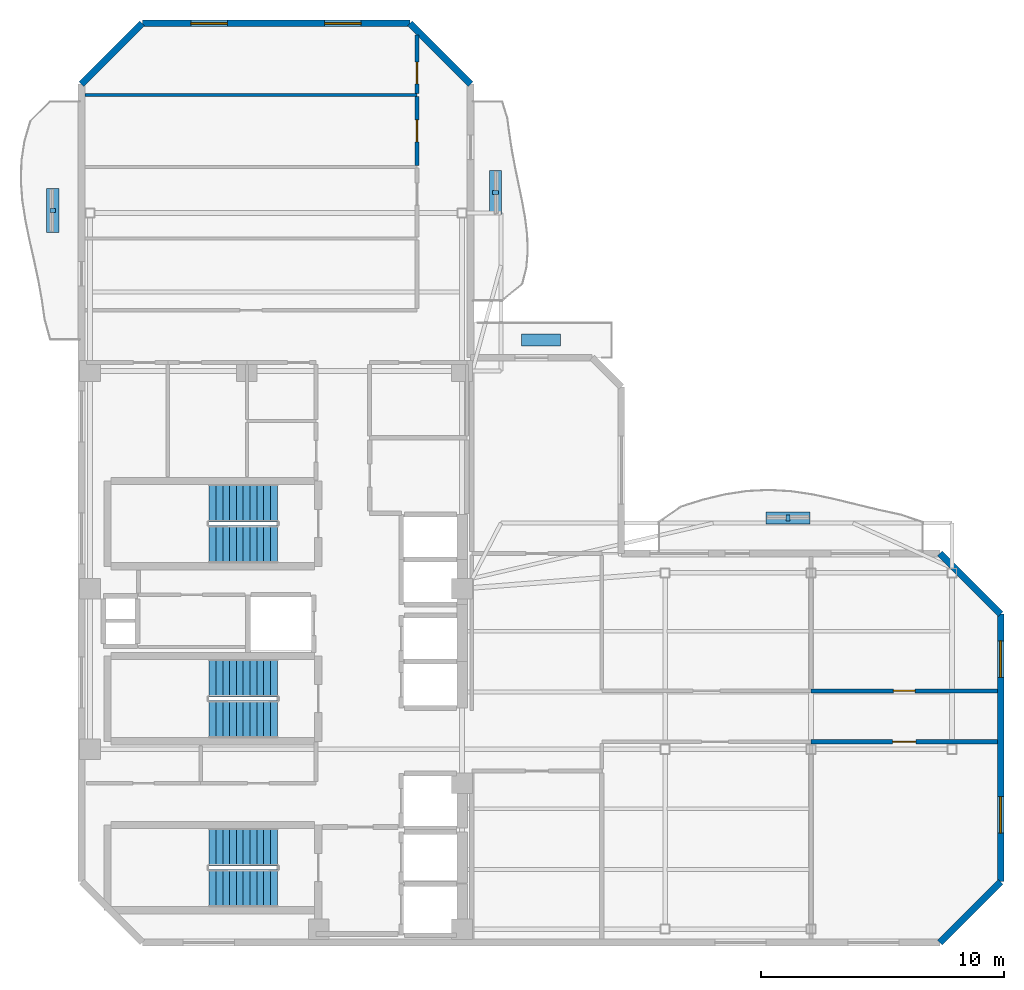
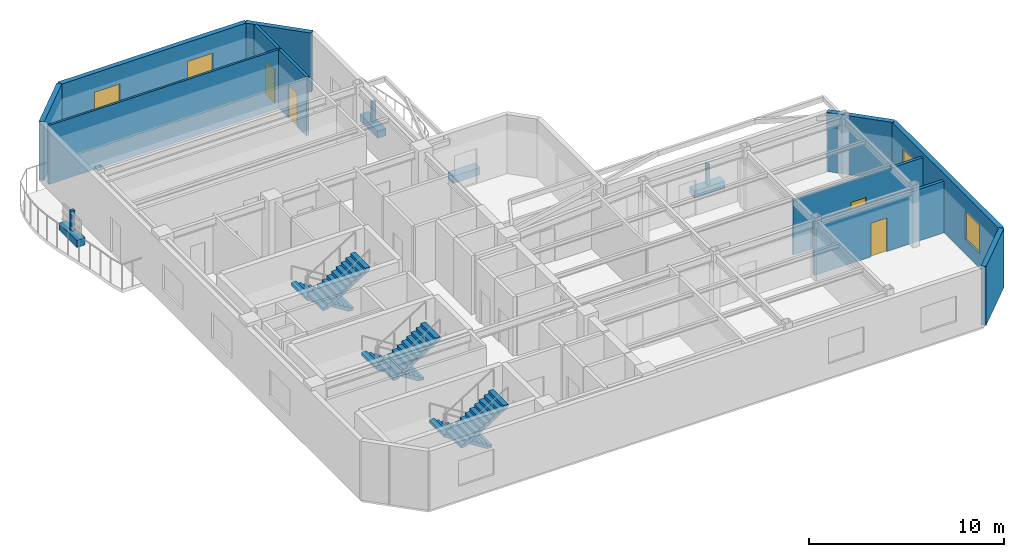
# One storey, part 5 of 8: 11 walls, 7 discrete accessories, 6 stair flights, 4 doors, 4 windows, 8 openings, 3 elements without a shape of their own.
"""IFC4 building model written with IfcOpenShell, lengths in metres."""

from ifc_helpers import new_model, si_unit, direction, frame, frame_2d, origin, origin_2d, place, context, subcontext, project, spatial, polyline, rectangle, outline, extrude, material, layer, layer_set, type_object, element, fill, aggregate, save


model = new_model("IFC4")

# Units and contexts
model_context = context("Model", 3, precision=1e-05, world=origin(), true_north=direction((0.0, 1.0)))
body_context = subcontext(model_context, "Body", "Model", "MODEL_VIEW")
ifc_project = project(units=[si_unit("LENGTHUNIT", "METRE"), si_unit("AREAUNIT", "SQUARE_METRE"), si_unit("VOLUMEUNIT", "CUBIC_METRE"), si_unit("PLANEANGLEUNIT", "RADIAN"), si_unit("MASSUNIT", "GRAM", prefix="KILO")], contexts=[model_context])

# Site, building, storey
site_placement = place(None, origin())
site = spatial("IfcSite", under=ifc_project, at=site_placement, CompositionType="ELEMENT")
building_placement = place(site_placement, origin())
building = spatial("IfcBuilding", under=site, at=building_placement, Name="Mawjaban Terraces University", CompositionType="ELEMENT")
storey_placement = place(building_placement, frame((0.0, 0.0, 259.89990234375)))
storey = spatial("IfcBuildingStorey", under=building, at=storey_placement, Name="L63", CompositionType="ELEMENT", Elevation=259.89990234375)

# Wall, opening, door
ifc_material_1 = material(Name="Acoustic masonry blockwork", Category="masonry")
ifc_layer_1 = layer(ifc_material_1, 0.179931640625)
ifc_layer_set_1 = layer_set([ifc_layer_1], Name="Acoustic masonry blockwork")
wall_type_1 = type_object("IfcWallType", Name="AcousticStudioWall_180", PredefinedType="PARTITIONING", material=ifc_layer_set_1)
wall_1_placement = place(storey_placement, frame((52.0, 8.25, 0.0), z_axis=(0.0, 0.0, 1.0), x_axis=(1.0, 0.0, 0.0)))
wall_1 = element("IfcWall", 1, at=wall_1_placement, inside=storey, type_object=wall_type_1, Name="L63 Upper East Research Corridor Partition 21", PredefinedType="PARTITIONING", context=body_context, shape_type="SweptSolid", body=[
    extrude(rectangle(XDim=7.6669921875, YDim=0.179931640625, at=frame_2d((3.83349609375, 0.0))), origin(), (0.0, 0.0, 1.0), 3.22705078125),
])
opening_1_placement = place(wall_1_placement, frame((3.35888671875, 0.0, 0.0)))
opening_1 = element("IfcOpeningElement", 2, at=opening_1_placement, cuts=wall_1, Name="Opening ID-095", PredefinedType="OPENING", context=body_context, shape_type="SweptSolid", body=[
    extrude(rectangle(XDim=0.949951171875, YDim=2.10009765625, at=frame_2d((0.47509765625, 1.050048828125))), frame((0.0, 0.099853515625, 0.0), z_axis=(0.0, -1.0, 0.0), x_axis=(1.0, 0.0, 0.0)), (0.0, 0.0, 1.0), 0.199951171875),
])
ifc_material_2 = material(Name="Powder-coated steel frame and solid acoustic timber leaf", Category="steel")
door_type_1 = type_object("IfcDoorType", Name="StudioDoor_950x2100", OperationType="NOTDEFINED", PredefinedType="DOOR", material=ifc_material_2)
door_1_placement = place(opening_1_placement, origin())
door_1 = element("IfcDoor", 3, at=door_1_placement, inside=storey, type_object=door_type_1, Name="L63 Design Studio 4 Door", OperationType="SINGLE_SWING_LEFT", OverallHeight=2.10009765625, OverallWidth=0.949951171875, PredefinedType="DOOR", context=body_context, shape_type="SweptSolid", body=[
    extrude(rectangle(XDim=0.949951171875, YDim=2.10009765625, at=frame_2d((0.47509765625, 1.050048828125))), frame((0.0, 0.02490234375, 0.0), z_axis=(0.0, -1.0, 0.0), x_axis=(1.0, 0.0, 0.0)), (0.0, 0.0, 1.0), 0.050048828125),
])
fill(opening_1, door_1)

ifc_material_3 = material(Name="Fire-rated gypsum board on steel stud", Category="steel")
ifc_layer_2 = layer(ifc_material_3, 0.159912109375)
ifc_layer_set_2 = layer_set([ifc_layer_2], Name="Fire-rated gypsum board on steel stud")
wall_type_2 = type_object("IfcWallType", Name="CorridorPartition_160", PredefinedType="PARTITIONING", material=ifc_layer_set_2)
wall_2_placement = place(storey_placement, frame((59.6669921875, 10.35009765625, 0.0), z_axis=(0.0, 0.0, 1.0), x_axis=(-1.0, 0.0, 0.0)))
wall_2 = element("IfcWall", 4, at=wall_2_placement, inside=storey, type_object=wall_type_2, Name="L63 Upper East Research Corridor Partition 23", PredefinedType="PARTITIONING", context=body_context, shape_type="SweptSolid", body=[
    extrude(rectangle(XDim=7.6669921875, YDim=0.159912109375, at=frame_2d((3.83349609375, 0.0))), origin(), (0.0, 0.0, 1.0), 3.424072265625),
])
opening_2_placement = place(wall_2_placement, frame((3.384033203125, 0.0, 0.0)))
opening_2 = element("IfcOpeningElement", 5, at=opening_2_placement, cuts=wall_2, Name="Opening ID-090", PredefinedType="OPENING", context=body_context, shape_type="SweptSolid", body=[
    extrude(rectangle(XDim=0.89990234375, YDim=2.10009765625, at=frame_2d((0.449951171875, 1.050048828125))), frame((0.0, 0.08984375, 0.0), z_axis=(0.0, -1.0, 0.0), x_axis=(1.0, 0.0, 0.0)), (0.0, 0.0, 1.0), 0.179931640625),
])
door_type_2 = type_object("IfcDoorType", Name="OfficeDoor_900x2100", OperationType="NOTDEFINED", PredefinedType="DOOR", material=ifc_material_2)
door_2_placement = place(opening_2_placement, origin())
door_2 = element("IfcDoor", 6, at=door_2_placement, inside=storey, type_object=door_type_2, Name="L63 Faculty Office 5 Door", OperationType="SINGLE_SWING_RIGHT", OverallHeight=2.10009765625, OverallWidth=0.89990234375, PredefinedType="DOOR", context=body_context, shape_type="SweptSolid", body=[
    extrude(rectangle(XDim=0.89990234375, YDim=2.10009765625, at=frame_2d((0.449951171875, 1.050048828125))), frame((0.0, 0.02490234375, 0.0), z_axis=(0.0, -1.0, 0.0), x_axis=(1.0, 0.0, 0.0)), (0.0, 0.0, 1.0), 0.050048828125),
])
fill(opening_2, door_2)

wall_3_placement = place(storey_placement, frame((35.800048828125, 34.79296875, 0.0), z_axis=(0.0, 0.0, 1.0), x_axis=(0.0, -1.0, 0.0)))
wall_3 = element("IfcWall", 7, at=wall_3_placement, inside=storey, type_object=wall_type_2, Name="L63 Upper North Research Gallery Partition 36", PredefinedType="PARTITIONING", context=body_context, shape_type="SweptSolid", body=[
    extrude(rectangle(XDim=2.8359375, YDim=0.159912109375, at=frame_2d((1.41796875, 0.0))), origin(), (0.0, 0.0, 1.0), 3.690185546875),
])
opening_3_placement = place(wall_3_placement, frame((0.968017578125, 0.0, 0.0)))
opening_3 = element("IfcOpeningElement", 8, at=opening_3_placement, cuts=wall_3, Name="Opening ID-090", PredefinedType="OPENING", context=body_context, shape_type="SweptSolid", body=[
    extrude(rectangle(XDim=0.89990234375, YDim=2.10009765625, at=frame_2d((0.449951171875, 1.050048828125))), frame((0.0, 0.08984375, 0.0), z_axis=(0.0, -1.0, 0.0), x_axis=(1.0, 0.0, 0.0)), (0.0, 0.0, 1.0), 0.179931640625),
])
door_3_placement = place(opening_3_placement, origin())
door_3 = element("IfcDoor", 9, at=door_3_placement, inside=storey, type_object=door_type_2, Name="L63 Faculty Office 8 Door", OperationType="SINGLE_SWING_LEFT", OverallHeight=2.10009765625, OverallWidth=0.89990234375, PredefinedType="DOOR", context=body_context, shape_type="SweptSolid", body=[
    extrude(rectangle(XDim=0.89990234375, YDim=2.10009765625, at=frame_2d((0.449951171875, 1.050048828125))), frame((0.0, 0.02490234375, 0.0), z_axis=(0.0, -1.0, 0.0), x_axis=(1.0, 0.0, 0.0)), (0.0, 0.0, 1.0), 0.050048828125),
])
fill(opening_3, door_3)

wall_4_placement = place(storey_placement, frame((35.800048828125, 37.31298828125, 0.0), z_axis=(0.0, 0.0, 1.0), x_axis=(0.0, -1.0, 0.0)))
wall_4 = element("IfcWall", 10, at=wall_4_placement, inside=storey, type_object=wall_type_2, Name="L63 Upper North Research Gallery Partition 37", PredefinedType="PARTITIONING", context=body_context, shape_type="SweptSolid", body=[
    extrude(rectangle(XDim=2.406005859375, YDim=0.159912109375, at=frame_2d((1.203125, 0.0))), origin(), (0.0, 0.0, 1.0), 3.690185546875),
])
opening_4_placement = place(wall_4_placement, frame((1.10302734375, 0.0, 0.0)))
opening_4 = element("IfcOpeningElement", 11, at=opening_4_placement, cuts=wall_4, Name="Opening ID-090", PredefinedType="OPENING", context=body_context, shape_type="SweptSolid", body=[
    extrude(rectangle(XDim=0.89990234375, YDim=2.10009765625, at=frame_2d((0.449951171875, 1.050048828125))), frame((0.0, 0.08984375, 0.0), z_axis=(0.0, -1.0, 0.0), x_axis=(1.0, 0.0, 0.0)), (0.0, 0.0, 1.0), 0.179931640625),
])
door_4_placement = place(opening_4_placement, origin())
door_4 = element("IfcDoor", 12, at=door_4_placement, inside=storey, type_object=door_type_2, Name="L63 Departmental Office 9 Door", OperationType="SINGLE_SWING_RIGHT", OverallHeight=2.10009765625, OverallWidth=0.89990234375, PredefinedType="DOOR", context=body_context, shape_type="SweptSolid", body=[
    extrude(rectangle(XDim=0.89990234375, YDim=2.10009765625, at=frame_2d((0.449951171875, 1.050048828125))), frame((0.0, 0.02490234375, 0.0), z_axis=(0.0, -1.0, 0.0), x_axis=(1.0, 0.0, 0.0)), (0.0, 0.0, 1.0), 0.050048828125),
])
fill(opening_4, door_4)

# Wall
ifc_material_4 = material(Name="Insulated terracotta rainscreen on concrete backup C40/50", Category="masonry")
ifc_layer_3 = layer(ifc_material_4, 0.27490234375)
ifc_layer_set_3 = layer_set([ifc_layer_3], Name="Insulated terracotta rainscreen on concrete backup C40/50")
wall_type_3 = type_object("IfcWallType", Name="ExtTerracottaWall_275", PredefinedType="SOLIDWALL", material=ifc_layer_set_3)
wall_5_placement = place(storey_placement, frame((57.300048828125, 0.0, 0.0), z_axis=(0.0, 0.0, 1.0), x_axis=(0.707106781187, 0.707106781187, 0.0)))
element("IfcWall", 13, at=wall_5_placement, inside=storey, type_object=wall_type_3, Name="L63 Exterior Terracotta Wall 2", PredefinedType="SOLIDWALL", context=body_context, shape_type="SweptSolid", body=[
    extrude(rectangle(XDim=3.53564453125, YDim=0.27490234375, at=frame_2d((1.767822265625, 0.0))), origin(), (0.0, 0.0, 1.0), 3.690185546875),
])

# Wall, openings, windows
wall_6_placement = place(storey_placement, frame((59.800048828125, 2.5, 0.0), z_axis=(0.0, 0.0, 1.0), x_axis=(0.0, 1.0, 0.0)))
wall_6 = element("IfcWall", 14, at=wall_6_placement, inside=storey, type_object=wall_type_3, Name="L63 Exterior Terracotta Wall 3", PredefinedType="SOLIDWALL", context=body_context, shape_type="SweptSolid", body=[
    extrude(rectangle(XDim=11.0, YDim=0.27490234375, at=frame_2d((5.5, 0.0))), origin(), (0.0, 0.0, 1.0), 3.690185546875),
])
opening_5_placement = place(wall_6_placement, frame((2.0, 0.0, 0.89990234375)))
opening_5 = element("IfcOpeningElement", 15, at=opening_5_placement, cuts=wall_6, Name="Opening W-06", PredefinedType="OPENING", context=body_context, shape_type="SweptSolid", body=[
    extrude(rectangle(XDim=1.5, YDim=1.800048828125, at=frame_2d((0.75, 0.89990234375))), frame((0.0, 0.1474609375, 0.0), z_axis=(0.0, -1.0, 0.0), x_axis=(1.0, 0.0, 0.0)), (0.0, 0.0, 1.0), 0.294921875),
])
opening_6_placement = place(wall_6_placement, frame((8.39990234375, 0.0, 0.89990234375)))
opening_6 = element("IfcOpeningElement", 16, at=opening_6_placement, cuts=wall_6, Name="Opening W-06", PredefinedType="OPENING", context=body_context, shape_type="SweptSolid", body=[
    extrude(rectangle(XDim=1.5, YDim=1.800048828125, at=frame_2d((0.75, 0.89990234375))), frame((0.0, 0.1474609375, 0.0), z_axis=(0.0, -1.0, 0.0), x_axis=(1.0, 0.0, 0.0)), (0.0, 0.0, 1.0), 0.294921875),
])
ifc_material_5 = material(Name="Low-E solar-control double glazing in thermally broken aluminium frame", Category="aluminium")
window_type_1 = type_object("IfcWindowType", Name="Win_1500x1800", PartitioningType="SINGLE_PANEL", PredefinedType="WINDOW", material=ifc_material_5)
window_1_placement = place(opening_5_placement, origin())
window_1 = element("IfcWindow", 17, at=window_1_placement, inside=storey, type_object=window_type_1, Name="L63 Facade Window 3.1", OverallHeight=1.800048828125, OverallWidth=1.5, PartitioningType="SINGLE_PANEL", PredefinedType="WINDOW", context=body_context, shape_type="SweptSolid", body=[
    extrude(rectangle(XDim=1.5, YDim=1.800048828125, at=frame_2d((0.75, 0.89990234375))), frame((0.0, 0.030029296875, 0.0), z_axis=(0.0, -1.0, 0.0), x_axis=(1.0, 0.0, 0.0)), (0.0, 0.0, 1.0), 0.06005859375),
])
fill(opening_5, window_1)
window_2_placement = place(opening_6_placement, origin())
window_2 = element("IfcWindow", 18, at=window_2_placement, inside=storey, type_object=window_type_1, Name="L63 Facade Window 3.2", OverallHeight=1.800048828125, OverallWidth=1.5, PartitioningType="SINGLE_PANEL", PredefinedType="WINDOW", context=body_context, shape_type="SweptSolid", body=[
    extrude(rectangle(XDim=1.5, YDim=1.800048828125, at=frame_2d((0.75, 0.89990234375))), frame((0.0, 0.030029296875, 0.0), z_axis=(0.0, -1.0, 0.0), x_axis=(1.0, 0.0, 0.0)), (0.0, 0.0, 1.0), 0.06005859375),
])
fill(opening_6, window_2)

# Walls
for number, where, z_axis, x_axis, name in (
    (19, (59.800048828125, 13.5, 0.0), (0.0, 0.0, 1.0), (-0.707106781187, 0.707106781187, 0.0), "L63 Exterior Terracotta Wall 4"),
    (20, (38.0, 35.300048828125, 0.0), (0.0, 0.0, 1.0), (-0.707106781187, 0.707106781187, 0.0), "L63 Exterior Terracotta Wall 10"),
):
    element("IfcWall", number, at=place(storey_placement, frame(where, z_axis=z_axis, x_axis=x_axis)), inside=storey, type_object=wall_type_3, Name=name, PredefinedType="SOLIDWALL", context=body_context, shape_type="SweptSolid", body=[
        extrude(rectangle(XDim=3.53564453125, YDim=0.27490234375, at=frame_2d((1.767822265625, 0.0))), origin(), (0.0, 0.0, 1.0), 3.690185546875),
    ])

# Wall, openings, windows
wall_7_placement = place(storey_placement, frame((35.5, 37.800048828125, 0.0), z_axis=(0.0, 0.0, 1.0), x_axis=(-1.0, 0.0, 0.0)))
wall_7 = element("IfcWall", 21, at=wall_7_placement, inside=storey, type_object=wall_type_3, Name="L63 Exterior Terracotta Wall 11", PredefinedType="SOLIDWALL", context=body_context, shape_type="SweptSolid", body=[
    extrude(rectangle(XDim=11.0, YDim=0.27490234375, at=frame_2d((5.5, 0.0))), origin(), (0.0, 0.0, 1.0), 3.690185546875),
])
opening_7_placement = place(wall_7_placement, frame((2.0, 0.0, 0.89990234375)))
opening_7 = element("IfcOpeningElement", 22, at=opening_7_placement, cuts=wall_7, Name="Opening W-02", PredefinedType="OPENING", context=body_context, shape_type="SweptSolid", body=[
    extrude(rectangle(XDim=1.5, YDim=1.60009765625, at=frame_2d((0.75, 0.800048828125))), frame((0.0, 0.1474609375, 0.0), z_axis=(0.0, -1.0, 0.0), x_axis=(1.0, 0.0, 0.0)), (0.0, 0.0, 1.0), 0.294921875),
])
opening_8_placement = place(wall_7_placement, frame((7.5, 0.0, 0.89990234375)))
opening_8 = element("IfcOpeningElement", 23, at=opening_8_placement, cuts=wall_7, Name="Opening W-02", PredefinedType="OPENING", context=body_context, shape_type="SweptSolid", body=[
    extrude(rectangle(XDim=1.5, YDim=1.60009765625, at=frame_2d((0.75, 0.800048828125))), frame((0.0, 0.1474609375, 0.0), z_axis=(0.0, -1.0, 0.0), x_axis=(1.0, 0.0, 0.0)), (0.0, 0.0, 1.0), 0.294921875),
])
window_type_2 = type_object("IfcWindowType", Name="Win_1500x1600", PartitioningType="SINGLE_PANEL", PredefinedType="WINDOW", material=ifc_material_5)
window_3_placement = place(opening_7_placement, origin())
window_3 = element("IfcWindow", 24, at=window_3_placement, inside=storey, type_object=window_type_2, Name="L63 Facade Window 11.1", OverallHeight=1.60009765625, OverallWidth=1.5, PartitioningType="SINGLE_PANEL", PredefinedType="WINDOW", context=body_context, shape_type="SweptSolid", body=[
    extrude(rectangle(XDim=1.5, YDim=1.60009765625, at=frame_2d((0.75, 0.800048828125))), frame((0.0, 0.030029296875, 0.0), z_axis=(0.0, -1.0, 0.0), x_axis=(1.0, 0.0, 0.0)), (0.0, 0.0, 1.0), 0.06005859375),
])
fill(opening_7, window_3)
window_4_placement = place(opening_8_placement, origin())
window_4 = element("IfcWindow", 25, at=window_4_placement, inside=storey, type_object=window_type_2, Name="L63 Facade Window 11.2", OverallHeight=1.60009765625, OverallWidth=1.5, PartitioningType="SINGLE_PANEL", PredefinedType="WINDOW", context=body_context, shape_type="SweptSolid", body=[
    extrude(rectangle(XDim=1.5, YDim=1.60009765625, at=frame_2d((0.75, 0.800048828125))), frame((0.0, 0.030029296875, 0.0), z_axis=(0.0, -1.0, 0.0), x_axis=(1.0, 0.0, 0.0)), (0.0, 0.0, 1.0), 0.06005859375),
])
fill(opening_8, window_4)

# Walls
wall_8_placement = place(storey_placement, frame((24.5, 37.800048828125, 0.0), z_axis=(0.0, 0.0, 1.0), x_axis=(-0.707106781187, -0.707106781187, 0.0)))
element("IfcWall", 26, at=wall_8_placement, inside=storey, type_object=wall_type_3, Name="L63 Exterior Terracotta Wall 12", PredefinedType="SOLIDWALL", context=body_context, shape_type="SweptSolid", body=[
    extrude(rectangle(XDim=3.53564453125, YDim=0.27490234375, at=frame_2d((1.767822265625, 0.0))), origin(), (0.0, 0.0, 1.0), 3.690185546875),
])
ifc_material_6 = material(Name="Gypsum plasterboard on steel stud", Category="steel")
ifc_layer_4 = layer(ifc_material_6, 0.125)
ifc_layer_set_4 = layer_set([ifc_layer_4], Name="Gypsum plasterboard on steel stud")
wall_type_4 = type_object("IfcWallType", Name="OfficePartition_125", PredefinedType="PARTITIONING", material=ifc_layer_set_4)
wall_9_placement = place(storey_placement, frame((35.800048828125, 34.85009765625, 0.0), z_axis=(0.0, 0.0, 1.0), x_axis=(-1.0, 0.0, 0.0)))
element("IfcWall", 27, at=wall_9_placement, inside=storey, type_object=wall_type_4, Name="L63 Faculty Office 8 Partition 15", PredefinedType="PARTITIONING", context=body_context, shape_type="SweptSolid", body=[
    extrude(rectangle(XDim=13.6669921875, YDim=0.125, at=frame_2d((6.83349609375, 0.0))), origin(), (0.0, 0.0, 1.0), 3.690185546875),
])

# Stair, stair flights
ifc_material_7 = material(Name="Concrete C40/50", Category="concrete")
stair_type = type_object("IfcStairType", Name="Stair_Core1550_H39", PredefinedType="HALF_TURN_STAIR", material=ifc_material_7)
stair_1_placement = place(storey_placement, origin())
stair_1 = element("IfcStair", 28, at=stair_1_placement, inside=storey, type_object=stair_type, Name="L63 Core Exit Stair 1", PredefinedType="HALF_TURN_STAIR")
stair_flight_type = type_object("IfcStairFlightType", Name="Flight_Core1550_H39", PredefinedType="STRAIGHT", material=ifc_material_7)
stair_flight_1_placement = place(storey_placement, frame((30.050048828125, 3.925048828125, 0.0), z_axis=(0.0, 0.0, 1.0), x_axis=(-1.0, 0.0, 0.0)))
stair_flight_1 = element("IfcStairFlight", 29, at=stair_flight_1_placement, type_object=stair_flight_type, Name="ST-1 flight 1", NumberOfRisers=11, NumberOfTreads=10, PredefinedType="STRAIGHT", RiserHeight=0.177272727, TreadLength=0.28, context=body_context, shape_type="SweptSolid", body=[
    extrude(outline(polyline([(0.0, 0.0), (0.0, 0.17724609375), (0.280029296875, 0.17724609375), (0.280029296875, 0.3544921875), (0.56005859375, 0.3544921875), (0.56005859375, 0.53173828125), (0.840087890625, 0.53173828125), (0.840087890625, 0.708984375), (1.1201171875, 0.708984375), (1.1201171875, 0.886474609375), (1.39990234375, 0.886474609375), (1.39990234375, 1.063720703125), (1.679931640625, 1.063720703125), (1.679931640625, 1.240966796875), (1.9599609375, 1.240966796875), (1.9599609375, 1.418212890625), (2.239990234375, 1.418212890625), (2.239990234375, 1.595458984375), (2.52001953125, 1.595458984375), (2.52001953125, 1.772705078125), (2.800048828125, 1.772705078125), (2.800048828125, 1.949951171875), (2.800048828125, 1.59521484375), (0.2802734375, 0.0), (0.0, 0.0)])), frame((0.0, 0.77490234375, 0.0), z_axis=(0.0, -1.0, 0.0), x_axis=(1.0, 0.0, 0.0)), (0.0, 0.0, 1.0), 1.550048828125),
])
stair_flight_2_placement = place(storey_placement, frame((27.25, 2.22509765625, 1.9501953125), z_axis=(0.0, 0.0, 1.0), x_axis=(1.0, 0.0, 0.0)))
stair_flight_2 = element("IfcStairFlight", 30, at=stair_flight_2_placement, type_object=stair_flight_type, Name="ST-1 flight 2", NumberOfRisers=11, NumberOfTreads=10, PredefinedType="STRAIGHT", RiserHeight=0.177272727, TreadLength=0.28, context=body_context, shape_type="SweptSolid", body=[
    extrude(outline(polyline([(0.0, 0.0), (0.0, 0.17724609375), (0.280029296875, 0.17724609375), (0.280029296875, 0.3544921875), (0.56005859375, 0.3544921875), (0.56005859375, 0.53173828125), (0.840087890625, 0.53173828125), (0.840087890625, 0.708984375), (1.1201171875, 0.708984375), (1.1201171875, 0.886474609375), (1.39990234375, 0.886474609375), (1.39990234375, 1.063720703125), (1.679931640625, 1.063720703125), (1.679931640625, 1.240966796875), (1.9599609375, 1.240966796875), (1.9599609375, 1.418212890625), (2.239990234375, 1.418212890625), (2.239990234375, 1.595458984375), (2.52001953125, 1.595458984375), (2.52001953125, 1.772705078125), (2.800048828125, 1.772705078125), (2.800048828125, 1.949951171875), (2.800048828125, 1.59521484375), (0.2802734375, 0.0), (0.0, 0.0)])), frame((0.0, 0.77490234375, 0.0), z_axis=(0.0, -1.0, 0.0), x_axis=(1.0, 0.0, 0.0)), (0.0, 0.0, 1.0), 1.550048828125),
])
aggregate(stair_1, [stair_flight_1, stair_flight_2])

stair_2_placement = place(storey_placement, origin())
stair_2 = element("IfcStair", 31, at=stair_2_placement, inside=storey, type_object=stair_type, Name="L63 Core Exit Stair 2", PredefinedType="HALF_TURN_STAIR")
stair_flight_3_placement = place(storey_placement, frame((30.050048828125, 18.074951171875, 0.0), z_axis=(0.0, 0.0, 1.0), x_axis=(-1.0, 0.0, 0.0)))
stair_flight_3 = element("IfcStairFlight", 32, at=stair_flight_3_placement, type_object=stair_flight_type, Name="ST-2 flight 1", NumberOfRisers=11, NumberOfTreads=10, PredefinedType="STRAIGHT", RiserHeight=0.177272727, TreadLength=0.28, context=body_context, shape_type="SweptSolid", body=[
    extrude(outline(polyline([(0.0, 0.0), (0.0, 0.17724609375), (0.280029296875, 0.17724609375), (0.280029296875, 0.3544921875), (0.56005859375, 0.3544921875), (0.56005859375, 0.53173828125), (0.840087890625, 0.53173828125), (0.840087890625, 0.708984375), (1.1201171875, 0.708984375), (1.1201171875, 0.886474609375), (1.39990234375, 0.886474609375), (1.39990234375, 1.063720703125), (1.679931640625, 1.063720703125), (1.679931640625, 1.240966796875), (1.9599609375, 1.240966796875), (1.9599609375, 1.418212890625), (2.239990234375, 1.418212890625), (2.239990234375, 1.595458984375), (2.52001953125, 1.595458984375), (2.52001953125, 1.772705078125), (2.800048828125, 1.772705078125), (2.800048828125, 1.949951171875), (2.800048828125, 1.59521484375), (0.2802734375, 0.0), (0.0, 0.0)])), frame((0.0, 0.77490234375, 0.0), z_axis=(0.0, -1.0, 0.0), x_axis=(1.0, 0.0, 0.0)), (0.0, 0.0, 1.0), 1.550048828125),
])
stair_flight_4_placement = place(storey_placement, frame((27.25, 16.375, 1.9501953125), z_axis=(0.0, 0.0, 1.0), x_axis=(1.0, 0.0, 0.0)))
stair_flight_4 = element("IfcStairFlight", 33, at=stair_flight_4_placement, type_object=stair_flight_type, Name="ST-2 flight 2", NumberOfRisers=11, NumberOfTreads=10, PredefinedType="STRAIGHT", RiserHeight=0.177272727, TreadLength=0.28, context=body_context, shape_type="SweptSolid", body=[
    extrude(outline(polyline([(0.0, 0.0), (0.0, 0.17724609375), (0.280029296875, 0.17724609375), (0.280029296875, 0.3544921875), (0.56005859375, 0.3544921875), (0.56005859375, 0.53173828125), (0.840087890625, 0.53173828125), (0.840087890625, 0.708984375), (1.1201171875, 0.708984375), (1.1201171875, 0.886474609375), (1.39990234375, 0.886474609375), (1.39990234375, 1.063720703125), (1.679931640625, 1.063720703125), (1.679931640625, 1.240966796875), (1.9599609375, 1.240966796875), (1.9599609375, 1.418212890625), (2.239990234375, 1.418212890625), (2.239990234375, 1.595458984375), (2.52001953125, 1.595458984375), (2.52001953125, 1.772705078125), (2.800048828125, 1.772705078125), (2.800048828125, 1.949951171875), (2.800048828125, 1.59521484375), (0.2802734375, 0.0), (0.0, 0.0)])), frame((0.0, 0.77490234375, 0.0), z_axis=(0.0, -1.0, 0.0), x_axis=(1.0, 0.0, 0.0)), (0.0, 0.0, 1.0), 1.550048828125),
])
aggregate(stair_2, [stair_flight_3, stair_flight_4])

stair_3_placement = place(storey_placement, origin())
stair_3 = element("IfcStair", 34, at=stair_3_placement, inside=storey, type_object=stair_type, Name="L63 Core Exit Stair 3", PredefinedType="HALF_TURN_STAIR")
stair_flight_5_placement = place(storey_placement, frame((30.050048828125, 10.875, 0.0), z_axis=(0.0, 0.0, 1.0), x_axis=(-1.0, 0.0, 0.0)))
stair_flight_5 = element("IfcStairFlight", 35, at=stair_flight_5_placement, type_object=stair_flight_type, Name="ST-3 flight 1", NumberOfRisers=11, NumberOfTreads=10, PredefinedType="STRAIGHT", RiserHeight=0.177272727, TreadLength=0.28, context=body_context, shape_type="SweptSolid", body=[
    extrude(outline(polyline([(0.0, 0.0), (0.0, 0.17724609375), (0.280029296875, 0.17724609375), (0.280029296875, 0.3544921875), (0.56005859375, 0.3544921875), (0.56005859375, 0.53173828125), (0.840087890625, 0.53173828125), (0.840087890625, 0.708984375), (1.1201171875, 0.708984375), (1.1201171875, 0.886474609375), (1.39990234375, 0.886474609375), (1.39990234375, 1.063720703125), (1.679931640625, 1.063720703125), (1.679931640625, 1.240966796875), (1.9599609375, 1.240966796875), (1.9599609375, 1.418212890625), (2.239990234375, 1.418212890625), (2.239990234375, 1.595458984375), (2.52001953125, 1.595458984375), (2.52001953125, 1.772705078125), (2.800048828125, 1.772705078125), (2.800048828125, 1.949951171875), (2.800048828125, 1.59521484375), (0.2802734375, 0.0), (0.0, 0.0)])), frame((0.0, 0.77490234375, 0.0), z_axis=(0.0, -1.0, 0.0), x_axis=(1.0, 0.0, 0.0)), (0.0, 0.0, 1.0), 1.550048828125),
])
stair_flight_6_placement = place(storey_placement, frame((27.25, 9.175048828125, 1.9501953125), z_axis=(0.0, 0.0, 1.0), x_axis=(1.0, 0.0, 0.0)))
stair_flight_6 = element("IfcStairFlight", 36, at=stair_flight_6_placement, type_object=stair_flight_type, Name="ST-3 flight 2", NumberOfRisers=11, NumberOfTreads=10, PredefinedType="STRAIGHT", RiserHeight=0.177272727, TreadLength=0.28, context=body_context, shape_type="SweptSolid", body=[
    extrude(outline(polyline([(0.0, 0.0), (0.0, 0.17724609375), (0.280029296875, 0.17724609375), (0.280029296875, 0.3544921875), (0.56005859375, 0.3544921875), (0.56005859375, 0.53173828125), (0.840087890625, 0.53173828125), (0.840087890625, 0.708984375), (1.1201171875, 0.708984375), (1.1201171875, 0.886474609375), (1.39990234375, 0.886474609375), (1.39990234375, 1.063720703125), (1.679931640625, 1.063720703125), (1.679931640625, 1.240966796875), (1.9599609375, 1.240966796875), (1.9599609375, 1.418212890625), (2.239990234375, 1.418212890625), (2.239990234375, 1.595458984375), (2.52001953125, 1.595458984375), (2.52001953125, 1.772705078125), (2.800048828125, 1.772705078125), (2.800048828125, 1.949951171875), (2.800048828125, 1.59521484375), (0.2802734375, 0.0), (0.0, 0.0)])), frame((0.0, 0.77490234375, 0.0), z_axis=(0.0, -1.0, 0.0), x_axis=(1.0, 0.0, 0.0)), (0.0, 0.0, 1.0), 1.550048828125),
])
aggregate(stair_3, [stair_flight_5, stair_flight_6])

# Discrete accessories
ifc_material_8 = material(Name="Stainless steel 316L", Category="steel")
discrete_accessory_type_1 = type_object("IfcDiscreteAccessoryType", Name="FacadeScreenBracket_Steel", PredefinedType="BRACKET", material=ifc_material_8)
for number, where, z_axis, x_axis, name in (
    (37, (20.81396484375, 30.10791015625, 0.419921875), (0.0, 0.0, 1.0), (0.0, 1.0, 0.0), "L63 Balcony Screen Support Bracket west"),
    (38, (51.052978515625, 17.452880859375, 0.419921875), (0.0, 0.0, 1.0), (1.0, 0.0, 0.0), "L63 Balcony Screen Support Bracket inner_north"),
    (39, (39.02197265625, 30.841064453125, 0.419921875), (0.0, 0.0, 1.0), (0.0, 1.0, 0.0), "L63 Balcony Screen Support Bracket inner_east"),
):
    element("IfcDiscreteAccessory", number, at=place(storey_placement, frame(where, z_axis=z_axis, x_axis=x_axis)), inside=storey, type_object=discrete_accessory_type_1, Name=name, PredefinedType="BRACKET", context=body_context, shape_type="SweptSolid", body=[
        extrude(rectangle(XDim=0.159912109375, YDim=0.239990234375, at=origin_2d()), origin(), (0.0, 0.0, 1.0), 1.300048828125),
    ])
ifc_material_9 = material(Name="Precast architectural terracotta planter with engineered planting soil", Category="masonry")
discrete_accessory_type_2 = type_object("IfcDiscreteAccessoryType", Name="IrrigatedPlanterTrough_450", PredefinedType="USERDEFINED", material=ifc_material_9)
for number, where, z_axis, x_axis, name in (
    (40, (20.81396484375, 30.10791015625, -0.0048828125), (0.0, 0.0, 1.0), (0.0, 1.0, 0.0), "L63 Balcony Irrigated Planter west"),
    (41, (51.052978515625, 17.452880859375, -0.0048828125), (0.0, 0.0, 1.0), (1.0, 0.0, 0.0), "L63 Balcony Irrigated Planter inner_north"),
    (42, (39.02197265625, 30.841064453125, -0.0048828125), (0.0, 0.0, 1.0), (0.0, 1.0, 0.0), "L63 Balcony Irrigated Planter inner_east"),
):
    element("IfcDiscreteAccessory", number, at=place(storey_placement, frame(where, z_axis=z_axis, x_axis=x_axis)), inside=storey, type_object=discrete_accessory_type_2, Name=name, ObjectType="PLANTER", PredefinedType="USERDEFINED", context=body_context, shape_type="SweptSolid", body=[
        extrude(rectangle(XDim=1.800048828125, YDim=0.5, at=origin_2d()), origin(), (0.0, 0.0, 1.0), 0.449951171875),
    ])
discrete_accessory_placement = place(storey_placement, frame((40.89990234375, 24.77490234375, -0.0048828125), z_axis=(0.0, 0.0, 1.0), x_axis=(1.0, 0.0, 0.0)))
element("IfcDiscreteAccessory", 43, at=discrete_accessory_placement, inside=storey, type_object=discrete_accessory_type_2, Name="L63 Terrace Planter TER-L63-CLIMB", ObjectType="PLANTER", PredefinedType="USERDEFINED", context=body_context, shape_type="SweptSolid", body=[
    extrude(rectangle(XDim=1.60009765625, YDim=0.5, at=origin_2d()), origin(), (0.0, 0.0, 1.0), 0.449951171875),
])

save(model, "model.ifc")
